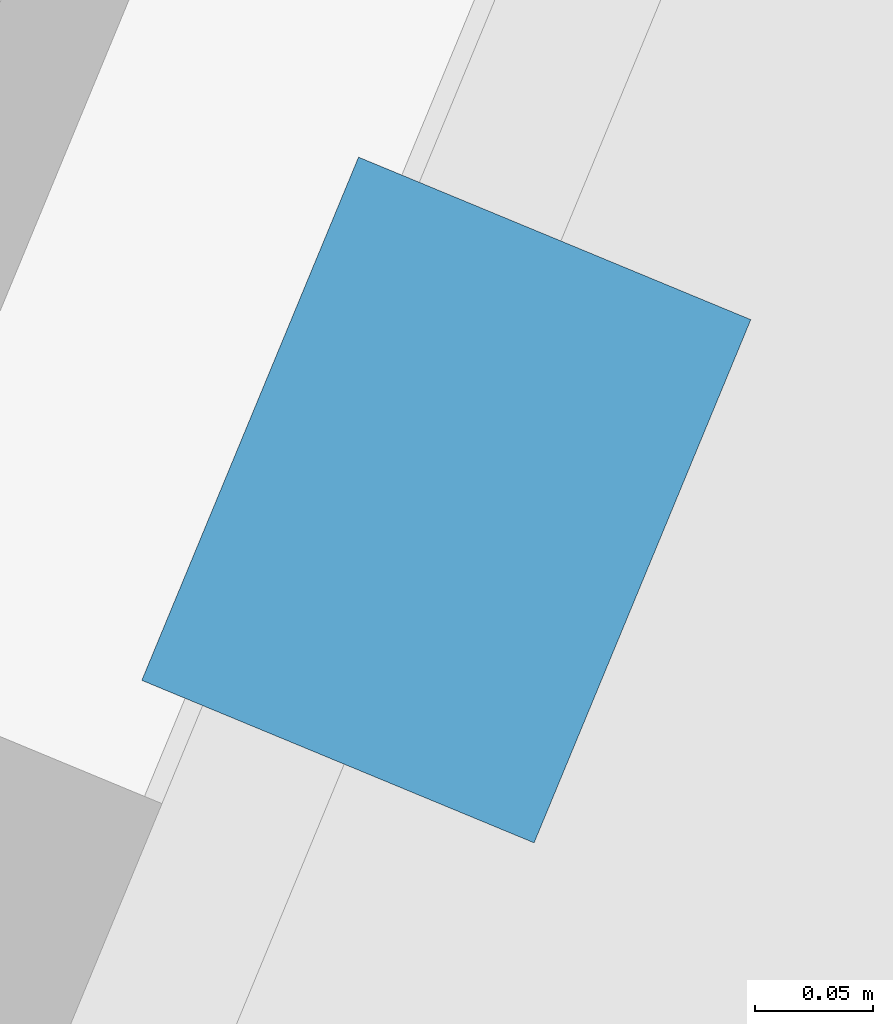
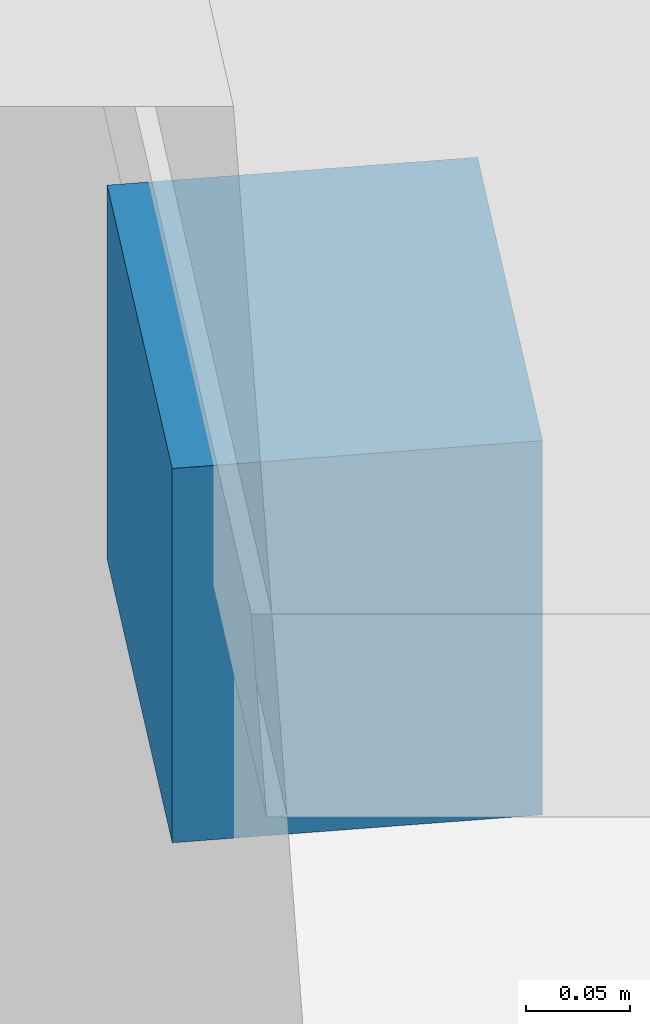
# One storey, part 136 of 168: 1 discrete accessory.
"""IFC4 building model written with IfcOpenShell, lengths in metres."""

from ifc_helpers import new_model, si_unit, direction, frame, origin, origin_2d, place, context, subcontext, project, spatial, rectangle, extrude, material, layer, layer_set, type_object, element, save


model = new_model("IFC4")

# Units and contexts
model_context = context("Model", 3, precision=1e-05, world=origin(), true_north=direction((0.0, 1.0)))
body_context = subcontext(model_context, "Body", "Model", "MODEL_VIEW")
ifc_project = project(units=[si_unit("LENGTHUNIT", "METRE"), si_unit("AREAUNIT", "SQUARE_METRE"), si_unit("VOLUMEUNIT", "CUBIC_METRE"), si_unit("PLANEANGLEUNIT", "RADIAN"), si_unit("MASSUNIT", "GRAM", prefix="KILO")], contexts=[model_context])

# Site, building, storey
site_placement = place(None, origin())
site = spatial("IfcSite", under=ifc_project, at=site_placement, CompositionType="ELEMENT")
building_placement = place(site_placement, origin())
building = spatial("IfcBuilding", under=site, at=building_placement, Name="Almandine Court Research Institute", CompositionType="ELEMENT")
storey_placement = place(building_placement, origin())
storey = spatial("IfcBuildingStorey", under=building, at=storey_placement, Name="L00", CompositionType="ELEMENT", Elevation=0.0)

# Discrete accessory
ifc_material = material(Name="Galvanised Steel Facade Outrigger Bracket", Category="steel")
ifc_layer = layer(ifc_material, 0.219970703125)
ifc_layer_set = layer_set([ifc_layer], Name="Galvanised Steel Facade Outrigger Bracket")
discrete_accessory_type = type_object("IfcDiscreteAccessoryType", Name="Acc-CHJ-BRACKET", PredefinedType="BRACKET", material=ifc_layer_set)
discrete_accessory_placement = place(storey_placement, frame((132.406982421875, 37.19091796875, 4.0029296875), z_axis=(0.0, 0.0, 1.0), x_axis=(-0.382683432365, -0.923879532511, 0.0)))
element("IfcDiscreteAccessory", 1, at=discrete_accessory_placement, inside=storey, type_object=discrete_accessory_type, Name="L00 Chhajja Outrigger Bracket 176", PredefinedType="BRACKET", context=body_context, shape_type="SweptSolid", body=[
    extrude(rectangle(XDim=0.239990234375, YDim=0.179931640625, at=origin_2d()), origin(), (0.0, 0.0, 1.0), 0.219970703125),
])

save(model, "model.ifc")
